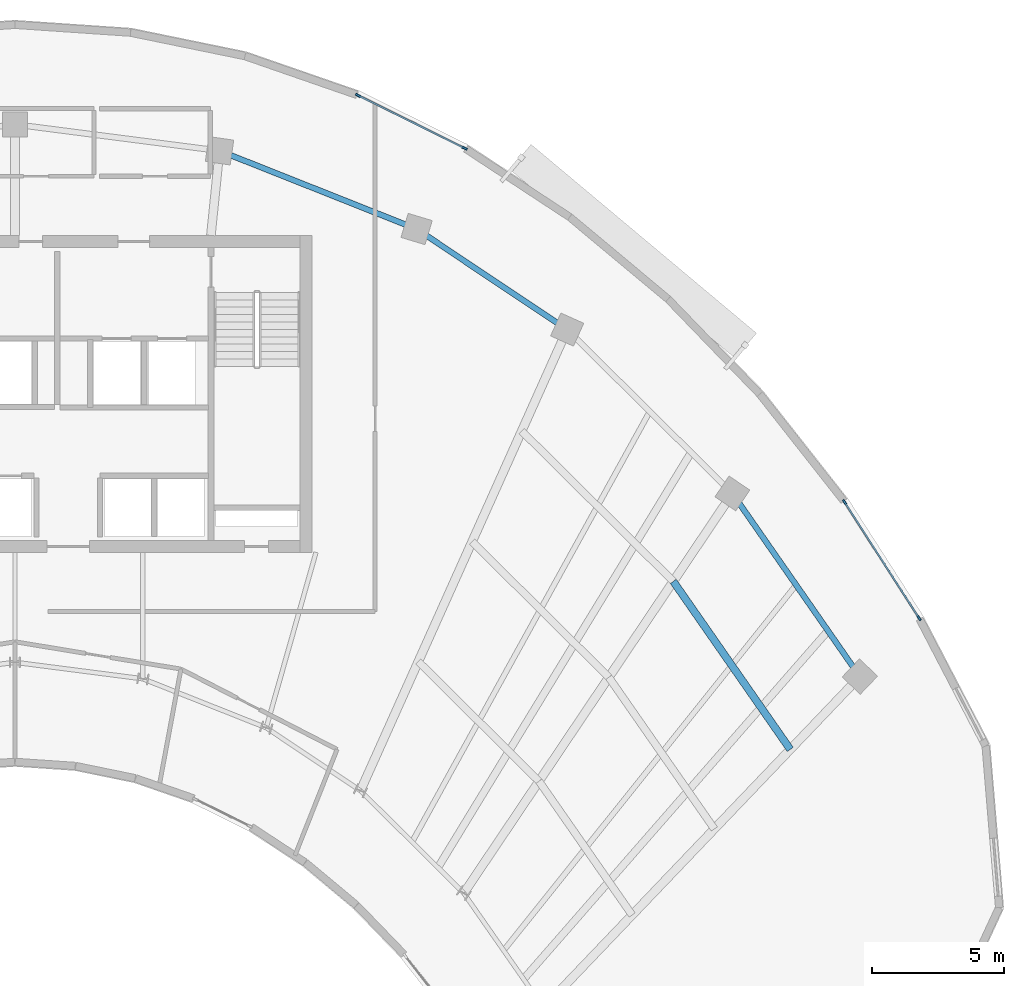
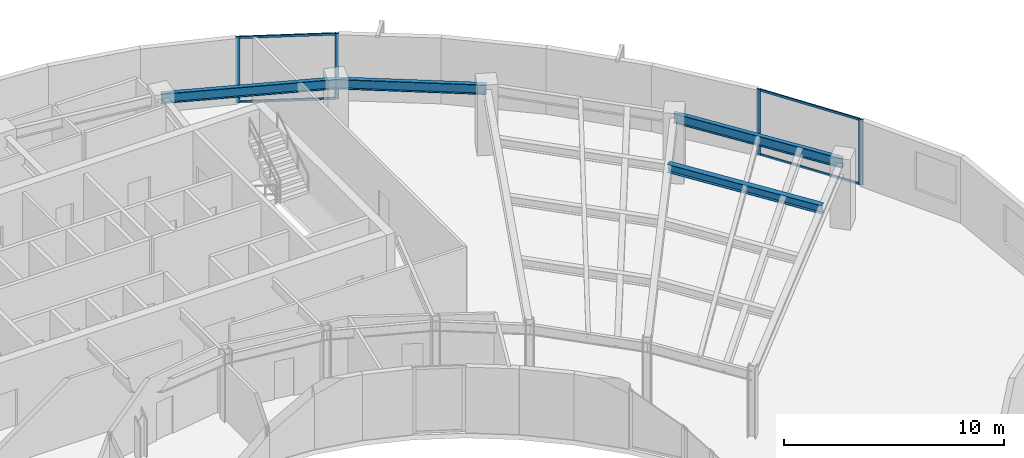
# One storey, part 6 of 13: 8 members, 4 beams, 2 elements without a shape of their own.
"""IFC4 building model written with IfcOpenShell, lengths in metres."""

from ifc_helpers import new_model, si_unit, direction, frame, origin, origin_2d, place, context, subcontext, project, spatial, rectangle, i_section, extrude, source, transform, mapped, material, layer, layer_set, material_profile, profile_set, type_object, element, aggregate, save


model = new_model("IFC4")

# Units and contexts
model_context = context("Model", 3, precision=1e-05, world=origin(), true_north=direction((0.0, 1.0)))
body_context = subcontext(model_context, "Body", "Model", "MODEL_VIEW")
ifc_project = project(units=[si_unit("LENGTHUNIT", "METRE"), si_unit("AREAUNIT", "SQUARE_METRE"), si_unit("VOLUMEUNIT", "CUBIC_METRE"), si_unit("PLANEANGLEUNIT", "RADIAN"), si_unit("MASSUNIT", "GRAM", prefix="KILO")], contexts=[model_context])

# Site, building, storey
site_placement = place(None, origin())
site = spatial("IfcSite", under=ifc_project, at=site_placement, CompositionType="ELEMENT")
building_placement = place(site_placement, origin())
building = spatial("IfcBuilding", under=site, at=building_placement, Name="Breltana Convention Tower", CompositionType="ELEMENT")
storey_placement = place(building_placement, frame((0.0, 0.0, 204.0)))
storey = spatial("IfcBuildingStorey", under=building, at=storey_placement, Name="L49", CompositionType="ELEMENT", Elevation=204.0)

# Beams
ifc_material_1 = material(Name="Steel ASTM A992 Grade 50", Category="steel")
ifc_material_profile_1 = material_profile(ifc_material_1, i_section(OverallWidth=0.280029296875, OverallDepth=0.462890625, WebThickness=0.0107421875, FlangeThickness=0.017333984375, at=origin_2d()), Name="W18X76")
ifc_profile_set_1 = profile_set([ifc_material_profile_1], Name="Steel ASTM A992 Grade 50")
beam_type_1 = type_object("IfcBeamType", Name="BM-JSG-06", PredefinedType="JOIST", material=ifc_profile_set_1)
shared_shape_1 = source(origin(), body_context, "Body", "SweptSolid", [
    extrude(i_section(OverallWidth=0.280029296875, OverallDepth=0.462890625, WebThickness=0.0107421875, FlangeThickness=0.017333984375, at=origin_2d()), origin(), (0.0, 0.0, 1.0), 7.75390625),
])
beam_1_placement = place(storey_placement, frame((72.92919921875, 59.10009765625, 3.408447265625), z_axis=(0.57119271264, -0.820815987312, 0.0), x_axis=(0.820815987312, 0.57119271264, 0.0)))
element("IfcBeam", 1, at=beam_1_placement, inside=storey, type_object=beam_type_1, Name="L49 Composite Floor Joist 10.3", PredefinedType="JOIST", context=body_context, shape_type="MappedRepresentation", body=[
    mapped(shared_shape_1, transform((0.0, 0.0, 0.0), scale=1.0)),
])
ifc_material_profile_2 = material_profile(ifc_material_1, i_section(OverallWidth=0.214111328125, OverallDepth=0.549072265625, WebThickness=0.0146484375, FlangeThickness=0.023681640625, at=origin_2d()), Name="W21X93")
ifc_profile_set_2 = profile_set([ifc_material_profile_2], Name="Steel ASTM A992 Grade 50")
beam_type_2 = type_object("IfcBeamType", Name="BM-SP-W21X93", PredefinedType="SPANDREL", material=ifc_profile_set_2)
shared_shape_2 = source(origin(), body_context, "Body", "SweptSolid", [
    extrude(i_section(OverallWidth=0.214111328125, OverallDepth=0.549072265625, WebThickness=0.0146484375, FlangeThickness=0.023681640625, at=origin_2d()), origin(), (0.0, 0.0, 1.0), 8.028564453125),
])
beam_2_placement = place(storey_placement, frame((55.746826171875, 75.404296875, 3.365478515625), z_axis=(0.929459100394, -0.368925169507, 0.0), x_axis=(0.368925169507, 0.929459100394, 0.0)))
element("IfcBeam", 2, at=beam_2_placement, inside=storey, type_object=beam_type_2, Name="L49 Outer Spandrel Beam 07", PredefinedType="SPANDREL", context=body_context, shape_type="MappedRepresentation", body=[
    mapped(shared_shape_2, transform((0.0, 0.0, 0.0), scale=1.0)),
])
shared_shape_3 = source(origin(), body_context, "Body", "SweptSolid", [
    extrude(i_section(OverallWidth=0.214111328125, OverallDepth=0.549072265625, WebThickness=0.0146484375, FlangeThickness=0.023681640625, at=origin_2d()), origin(), (0.0, 0.0, 1.0), 6.856689453125),
])
beam_3_placement = place(storey_placement, frame((63.208984375, 72.4423828125, 3.365478515625), z_axis=(0.83150210718, -0.55552159792, 0.0), x_axis=(0.55552159792, 0.83150210718, 0.0)))
element("IfcBeam", 3, at=beam_3_placement, inside=storey, type_object=beam_type_2, Name="L49 Outer Spandrel Beam 08", PredefinedType="SPANDREL", context=body_context, shape_type="MappedRepresentation", body=[
    mapped(shared_shape_3, transform((0.0, 0.0, 0.0), scale=1.0)),
])
shared_shape_4 = source(origin(), body_context, "Body", "SweptSolid", [
    extrude(i_section(OverallWidth=0.214111328125, OverallDepth=0.549072265625, WebThickness=0.0146484375, FlangeThickness=0.023681640625, at=origin_2d()), origin(), (0.0, 0.0, 1.0), 8.44970703125),
])
beam_4_placement = place(storey_placement, frame((75.166748046875, 62.43017578125, 3.365478515625), z_axis=(0.5711855381, -0.820820979913, 0.0), x_axis=(0.820820979913, 0.5711855381, 0.0)))
element("IfcBeam", 4, at=beam_4_placement, inside=storey, type_object=beam_type_2, Name="L49 Outer Spandrel Beam 10", PredefinedType="SPANDREL", context=body_context, shape_type="MappedRepresentation", body=[
    mapped(shared_shape_4, transform((0.0, 0.0, 0.0), scale=1.0)),
])

# Curtain wall, members
ifc_material_2 = material(Name="Aluminium Anodised Bronze Frame", Category="aluminium")
ifc_layer = layer(ifc_material_2, 0.219970703125, Name="Aluminium Anodised Bronze Frame")
ifc_layer_set = layer_set([ifc_layer], Name="Aluminium Anodised Bronze Frame")
curtain_wall_type = type_object("IfcCurtainWallType", Name="CW-SYS-4", PredefinedType="NOTDEFINED", material=ifc_layer_set)
curtain_wall_1_placement = place(storey_placement, origin())
curtain_wall_1 = element("IfcCurtainWall", 5, at=curtain_wall_1_placement, inside=storey, type_object=curtain_wall_type, Name="L49 outer double-skin inner glazing 4", PredefinedType="NOTDEFINED")
ifc_material_3 = material(Name="Aluminium Anodised Bronze", Category="aluminium")
ifc_material_profile_3 = material_profile(ifc_material_3, rectangle(XDim=0.080078125, YDim=0.199951171875, at=origin_2d()), Name="CWM-80X200")
ifc_profile_set_3 = profile_set([ifc_material_profile_3], Name="Aluminium Anodised Bronze")
member_type_1 = type_object("IfcMemberType", Name="CWM-200", PredefinedType="MULLION", material=ifc_profile_set_3)
shared_shape_5 = source(origin(), body_context, "Body", "SweptSolid", [
    extrude(rectangle(XDim=0.080078125, YDim=0.199951171875, at=origin_2d()), origin(), (0.0, 0.0, 1.0), 3.639892578125),
])
member_1_placement = place(storey_placement, frame((60.9892578125, 77.50244140625, 0.0), z_axis=(0.0, 0.0, 1.0), x_axis=(0.444108875003, 0.895972827235, 0.0)))
member_1 = element("IfcMember", 6, at=member_1_placement, type_object=member_type_1, Name="CW-04 mullion 1", PredefinedType="MULLION", context=body_context, shape_type="MappedRepresentation", body=[
    mapped(shared_shape_5, transform((0.0, 0.0, 0.0), scale=1.0)),
])
member_2_placement = place(storey_placement, frame((65.03076171875, 75.499267578125, 0.0), z_axis=(0.0, 0.0, 1.0), x_axis=(0.444108875003, 0.895972827235, 0.0)))
member_2 = element("IfcMember", 7, at=member_2_placement, type_object=member_type_1, Name="CW-04 mullion 2", PredefinedType="MULLION", context=body_context, shape_type="MappedRepresentation", body=[
    mapped(shared_shape_5, transform((0.0, 0.0, 0.0), scale=1.0)),
])

curtain_wall_2_placement = place(storey_placement, origin())
curtain_wall_2 = element("IfcCurtainWall", 8, at=curtain_wall_2_placement, inside=storey, type_object=curtain_wall_type, Name="L49 outer double-skin inner glazing 5", PredefinedType="NOTDEFINED")
member_3_placement = place(storey_placement, frame((79.41259765625, 62.10595703125, 0.0), z_axis=(0.0, 0.0, 1.0), x_axis=(0.84154835428, 0.540181791075, 0.0)))
member_3 = element("IfcMember", 9, at=member_3_placement, type_object=member_type_1, Name="CW-04 mullion 1", PredefinedType="MULLION", context=body_context, shape_type="MappedRepresentation", body=[
    mapped(shared_shape_5, transform((0.0, 0.0, 0.0), scale=1.0)),
])
member_4_placement = place(storey_placement, frame((82.23388671875, 57.710693359375, 0.0), z_axis=(0.0, 0.0, 1.0), x_axis=(0.84154835428, 0.540181791075, 0.0)))
member_4 = element("IfcMember", 10, at=member_4_placement, type_object=member_type_1, Name="CW-04 mullion 2", PredefinedType="MULLION", context=body_context, shape_type="MappedRepresentation", body=[
    mapped(shared_shape_5, transform((0.0, 0.0, 0.0), scale=1.0)),
])

# Member
ifc_material_profile_4 = material_profile(ifc_material_3, rectangle(XDim=0.070068359375, YDim=0.1201171875, at=origin_2d()), Name="CWT-70X120")
ifc_profile_set_4 = profile_set([ifc_material_profile_4], Name="Aluminium Anodised Bronze")
member_type_2 = type_object("IfcMemberType", Name="CWT-120", PredefinedType="USERDEFINED", material=ifc_profile_set_4)
shared_shape_6 = source(origin(), body_context, "Body", "SweptSolid", [
    extrude(rectangle(XDim=0.070068359375, YDim=0.1201171875, at=origin_2d()), origin(), (0.0, 0.0, 1.0), 4.4306640625),
])
member_5_placement = place(storey_placement, frame((61.025146484375, 77.48486328125, 0.034912109375), z_axis=(0.895964734866, -0.444125200678, 0.0), x_axis=(0.444125200678, 0.895964734866, 0.0)))
member_5 = element("IfcMember", 11, at=member_5_placement, type_object=member_type_2, Name="CW-04 transom 1.1", ObjectType="TRANSOM", PredefinedType="USERDEFINED", context=body_context, shape_type="MappedRepresentation", body=[
    mapped(shared_shape_6, transform((0.0, 0.0, 0.0), scale=1.0)),
])

member_6_placement = place(storey_placement, frame((61.025146484375, 77.48486328125, 3.60498046875), z_axis=(0.895964734866, -0.444125200678, 0.0), x_axis=(0.444125200678, 0.895964734866, 0.0)))
member_6 = element("IfcMember", 12, at=member_6_placement, type_object=member_type_2, Name="CW-04 transom 1.2", ObjectType="TRANSOM", PredefinedType="USERDEFINED", context=body_context, shape_type="MappedRepresentation", body=[
    mapped(shared_shape_6, transform((0.0, 0.0, 0.0), scale=1.0)),
])

aggregate(curtain_wall_1, [member_1, member_2, member_5, member_6])

shared_shape_7 = source(origin(), body_context, "Body", "SweptSolid", [
    extrude(rectangle(XDim=0.070068359375, YDim=0.1201171875, at=origin_2d()), origin(), (0.0, 0.0, 1.0), 5.142822265625),
])
member_7_placement = place(storey_placement, frame((79.43408203125, 62.072265625, 0.034912109375), z_axis=(0.54018882683, -0.841543838055, 0.0), x_axis=(0.841543838055, 0.54018882683, 0.0)))
member_7 = element("IfcMember", 13, at=member_7_placement, type_object=member_type_2, Name="CW-04 transom 1.1", ObjectType="TRANSOM", PredefinedType="USERDEFINED", context=body_context, shape_type="MappedRepresentation", body=[
    mapped(shared_shape_7, transform((0.0, 0.0, 0.0), scale=1.0)),
])

member_8_placement = place(storey_placement, frame((79.43408203125, 62.072265625, 3.60498046875), z_axis=(0.54018882683, -0.841543838055, 0.0), x_axis=(0.841543838055, 0.54018882683, 0.0)))
member_8 = element("IfcMember", 14, at=member_8_placement, type_object=member_type_2, Name="CW-04 transom 1.2", ObjectType="TRANSOM", PredefinedType="USERDEFINED", context=body_context, shape_type="MappedRepresentation", body=[
    mapped(shared_shape_7, transform((0.0, 0.0, 0.0), scale=1.0)),
])

aggregate(curtain_wall_2, [member_3, member_4, member_7, member_8])

save(model, "model.ifc")
